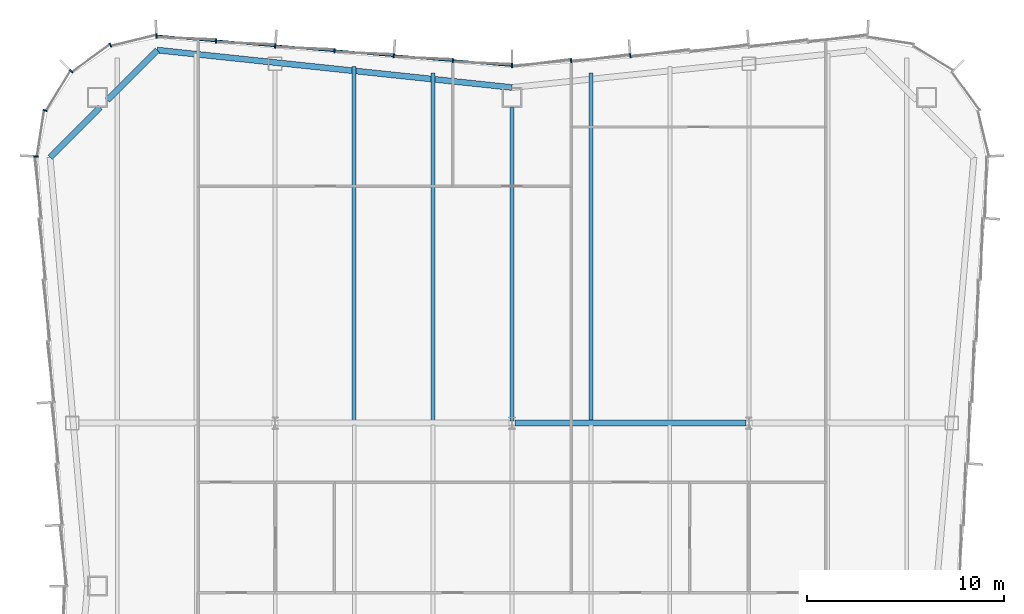
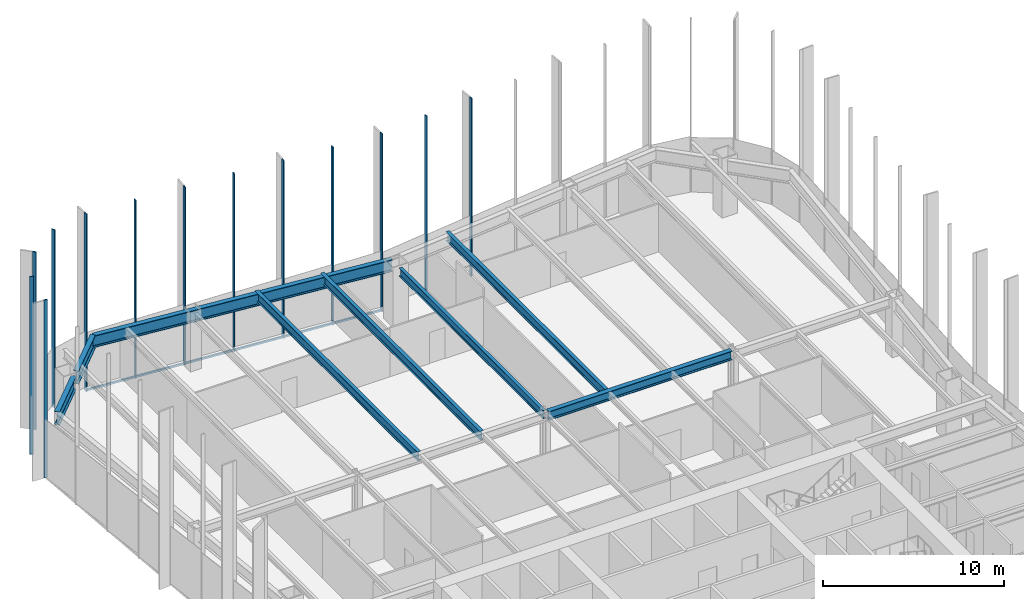
# One storey, part 6 of 13: 14 members, 8 beams, 3 elements without a shape of their own.
"""IFC4 building model written with IfcOpenShell, lengths in metres."""

from ifc_helpers import new_model, si_unit, direction, frame, origin, origin_2d, place, context, subcontext, project, spatial, rectangle, i_section, extrude, material, material_profile, profile_set, type_object, element, aggregate, save


model = new_model("IFC4")

# Units and contexts
model_context = context("Model", 3, precision=1e-05, world=origin(), true_north=direction((0.0, 1.0)))
body_context = subcontext(model_context, "Body", "Model", "MODEL_VIEW")
ifc_project = project(units=[si_unit("LENGTHUNIT", "METRE"), si_unit("AREAUNIT", "SQUARE_METRE"), si_unit("VOLUMEUNIT", "CUBIC_METRE"), si_unit("PLANEANGLEUNIT", "RADIAN"), si_unit("MASSUNIT", "GRAM", prefix="KILO")], contexts=[model_context])

# Site, building, storey
site_placement = place(None, origin())
site = spatial("IfcSite", under=ifc_project, at=site_placement, CompositionType="ELEMENT")
building_placement = place(site_placement, origin())
building = spatial("IfcBuilding", under=site, at=building_placement, Name="Verdant Reach Tower", CompositionType="ELEMENT")
storey_placement = place(building_placement, frame((0.0, 0.0, 206.0)))
storey = spatial("IfcBuildingStorey", under=building, at=storey_placement, Name="L47", CompositionType="ELEMENT", Elevation=206.0)

# Curtain wall, members
ifc_material_1 = material(Name="Anodised aluminium", Category="aluminium")
curtain_wall_type = type_object("IfcCurtainWallType", Name="EN-CW SYSTEM Z3", PredefinedType="NOTDEFINED", material=ifc_material_1)
curtain_wall_1_placement = place(storey_placement, origin())
curtain_wall_1 = element("IfcCurtainWall", 1, at=curtain_wall_1_placement, inside=storey, type_object=curtain_wall_type, Name="Curtain wall north, L47", PredefinedType="NOTDEFINED")
ifc_material_profile_1 = material_profile(ifc_material_1, rectangle(XDim=0.218017578125, YDim=0.06591796875, at=origin_2d()), Name="Mullion 66x218")
ifc_profile_set_1 = profile_set([ifc_material_profile_1], Name="Anodised aluminium")
member_type_1 = type_object("IfcMemberType", Name="EN-MULLION Z3", PredefinedType="MULLION", material=ifc_profile_set_1)
member_1_placement = place(storey_placement, frame((5.990966796875, 68.108642578125, -0.35009765625), z_axis=(0.0, 0.0, 1.0), x_axis=(-0.083045479859, 0.996545758244, 0.0)))
member_1 = element("IfcMember", 2, at=member_1_placement, type_object=member_type_1, Name="Mullion north face part 1 5, L47", PredefinedType="MULLION", context=body_context, shape_type="SweptSolid", body=[
    extrude(rectangle(XDim=0.218017578125, YDim=0.06591796875, at=origin_2d()), origin(), (0.0, 0.0, 1.0), 12.0),
])
member_2_placement = place(storey_placement, frame((2.990966796875, 67.858642578125, -0.35009765625), z_axis=(0.0, 0.0, 1.0), x_axis=(-0.083045479859, 0.996545758244, 0.0)))
member_2 = element("IfcMember", 3, at=member_2_placement, type_object=member_type_1, Name="Mullion north face part 1 6, L47", PredefinedType="MULLION", context=body_context, shape_type="SweptSolid", body=[
    extrude(rectangle(XDim=0.218017578125, YDim=0.06591796875, at=origin_2d()), origin(), (0.0, 0.0, 1.0), 12.0),
])
member_3_placement = place(storey_placement, frame((0.0, 67.60888671875, -0.35009765625), z_axis=(0.0, 0.0, 1.0), x_axis=(0.0, 1.0, 0.0)))
member_3 = element("IfcMember", 4, at=member_3_placement, type_object=member_type_1, Name="Mullion north face part 2 1, L47", PredefinedType="MULLION", context=body_context, shape_type="SweptSolid", body=[
    extrude(rectangle(XDim=0.218017578125, YDim=0.06591796875, at=origin_2d()), origin(), (0.0, 0.0, 1.0), 12.0),
])
member_4_placement = place(storey_placement, frame((-2.990966796875, 67.858642578125, -0.35009765625), z_axis=(0.0, 0.0, 1.0), x_axis=(0.083045479859, 0.996545758244, 0.0)))
member_4 = element("IfcMember", 5, at=member_4_placement, type_object=member_type_1, Name="Mullion north face part 2 2, L47", PredefinedType="MULLION", context=body_context, shape_type="SweptSolid", body=[
    extrude(rectangle(XDim=0.218017578125, YDim=0.06591796875, at=origin_2d()), origin(), (0.0, 0.0, 1.0), 12.0),
])
member_5_placement = place(storey_placement, frame((-5.990966796875, 68.108642578125, -0.35009765625), z_axis=(0.0, 0.0, 1.0), x_axis=(0.083045479859, 0.996545758244, 0.0)))
member_5 = element("IfcMember", 6, at=member_5_placement, type_object=member_type_1, Name="Mullion north face part 2 3, L47", PredefinedType="MULLION", context=body_context, shape_type="SweptSolid", body=[
    extrude(rectangle(XDim=0.218017578125, YDim=0.06591796875, at=origin_2d()), origin(), (0.0, 0.0, 1.0), 12.0),
])
member_6_placement = place(storey_placement, frame((-8.990966796875, 68.358642578125, -0.35009765625), z_axis=(0.0, 0.0, 1.0), x_axis=(0.083045479859, 0.996545758244, 0.0)))
member_6 = element("IfcMember", 7, at=member_6_placement, type_object=member_type_1, Name="Mullion north face part 2 4, L47", PredefinedType="MULLION", context=body_context, shape_type="SweptSolid", body=[
    extrude(rectangle(XDim=0.218017578125, YDim=0.06591796875, at=origin_2d()), origin(), (0.0, 0.0, 1.0), 12.0),
])
member_7_placement = place(storey_placement, frame((-11.990966796875, 68.608642578125, -0.35009765625), z_axis=(0.0, 0.0, 1.0), x_axis=(0.083045479859, 0.996545758244, 0.0)))
member_7 = element("IfcMember", 8, at=member_7_placement, type_object=member_type_1, Name="Mullion north face part 2 5, L47", PredefinedType="MULLION", context=body_context, shape_type="SweptSolid", body=[
    extrude(rectangle(XDim=0.218017578125, YDim=0.06591796875, at=origin_2d()), origin(), (0.0, 0.0, 1.0), 12.0),
])
member_8_placement = place(storey_placement, frame((-14.990966796875, 68.858642578125, -0.35009765625), z_axis=(0.0, 0.0, 1.0), x_axis=(0.083045479859, 0.996545758244, 0.0)))
member_8 = element("IfcMember", 9, at=member_8_placement, type_object=member_type_1, Name="Mullion north face part 2 6, L47", PredefinedType="MULLION", context=body_context, shape_type="SweptSolid", body=[
    extrude(rectangle(XDim=0.218017578125, YDim=0.06591796875, at=origin_2d()), origin(), (0.0, 0.0, 1.0), 12.0),
])

curtain_wall_2_placement = place(storey_placement, origin())
curtain_wall_2 = element("IfcCurtainWall", 10, at=curtain_wall_2_placement, inside=storey, type_object=curtain_wall_type, Name="Curtain wall north-west corner, L47", PredefinedType="NOTDEFINED")
member_9_placement = place(storey_placement, frame((-18.006103515625, 69.10888671875, -0.35009765625), z_axis=(0.0, 0.0, 1.0), x_axis=(-0.056569187765, 0.998398681387, 0.0)))
member_9 = element("IfcMember", 11, at=member_9_placement, type_object=member_type_1, Name="Mullion north-west corner 1, L47", PredefinedType="MULLION", context=body_context, shape_type="SweptSolid", body=[
    extrude(rectangle(XDim=0.218017578125, YDim=0.06591796875, at=origin_2d()), origin(), (0.0, 0.0, 1.0), 12.0),
])
member_10_placement = place(storey_placement, frame((-20.337890625, 68.64404296875, -0.35009765625), z_axis=(0.0, 0.0, 1.0), x_axis=(-0.382693853776, 0.923875215753, 0.0)))
member_10 = element("IfcMember", 12, at=member_10_placement, type_object=member_type_1, Name="Mullion north-west corner 2, L47", PredefinedType="MULLION", context=body_context, shape_type="SweptSolid", body=[
    extrude(rectangle(XDim=0.218017578125, YDim=0.06591796875, at=origin_2d()), origin(), (0.0, 0.0, 1.0), 12.0),
])
member_11_placement = place(storey_placement, frame((-22.319580078125, 67.319580078125, -0.35009765625), z_axis=(0.0, 0.0, 1.0), x_axis=(-0.707106781187, 0.707106781187, 0.0)))
member_11 = element("IfcMember", 13, at=member_11_placement, type_object=member_type_1, Name="Mullion north-west corner 3, L47", PredefinedType="MULLION", context=body_context, shape_type="SweptSolid", body=[
    extrude(rectangle(XDim=0.218017578125, YDim=0.06591796875, at=origin_2d()), origin(), (0.0, 0.0, 1.0), 12.0),
])
member_12_placement = place(storey_placement, frame((-23.64404296875, 65.337890625, -0.35009765625), z_axis=(0.0, 0.0, 1.0), x_axis=(-0.923875215753, 0.382693853776, 0.0)))
member_12 = element("IfcMember", 14, at=member_12_placement, type_object=member_type_1, Name="Mullion north-west corner 4, L47", PredefinedType="MULLION", context=body_context, shape_type="SweptSolid", body=[
    extrude(rectangle(XDim=0.218017578125, YDim=0.06591796875, at=origin_2d()), origin(), (0.0, 0.0, 1.0), 12.0),
])
aggregate(curtain_wall_2, [member_9, member_10, member_11, member_12])

# Curtain wall, member
curtain_wall_3_placement = place(storey_placement, origin())
curtain_wall_3 = element("IfcCurtainWall", 15, at=curtain_wall_3_placement, inside=storey, type_object=curtain_wall_type, Name="Curtain wall west, L47", PredefinedType="NOTDEFINED")
member_13_placement = place(storey_placement, frame((-24.10888671875, 63.0068359375, -0.35009765625), z_axis=(0.0, 0.0, 1.0), x_axis=(-0.997969180898, 0.063698618332, 0.0)))
member_13 = element("IfcMember", 16, at=member_13_placement, type_object=member_type_1, Name="Mullion west face part 1 1, L47", PredefinedType="MULLION", context=body_context, shape_type="SweptSolid", body=[
    extrude(rectangle(XDim=0.218017578125, YDim=0.06591796875, at=origin_2d()), origin(), (0.0, 0.0, 1.0), 12.0),
])
aggregate(curtain_wall_3, [member_13])

# Member
ifc_material_profile_2 = material_profile(ifc_material_1, rectangle(XDim=0.10009765625, YDim=0.1259765625, at=origin_2d()), Name="Transom 126x100")
ifc_profile_set_2 = profile_set([ifc_material_profile_2], Name="Anodised aluminium")
member_type_2 = type_object("IfcMemberType", Name="EN-TRANSOM Z3", PredefinedType="USERDEFINED", material=ifc_profile_set_2)
member_14_placement = place(storey_placement, frame((-0.032958984375, 67.61181640625, -0.287109375), z_axis=(-0.996548750467, 0.083009565369, 0.0), x_axis=(-0.083009565369, -0.996548750467, 0.0)))
member_14 = element("IfcMember", 17, at=member_14_placement, type_object=member_type_2, Name="Transom north face part 2 1.1, L47", ObjectType="TRANSOM", PredefinedType="USERDEFINED", context=body_context, shape_type="SweptSolid", body=[
    extrude(rectangle(XDim=0.10009765625, YDim=0.1259765625, at=origin_2d()), origin(), (0.0, 0.0, 1.0), 18.00244140625),
])

aggregate(curtain_wall_1, [member_1, member_2, member_3, member_4, member_5, member_6, member_7, member_8, member_14])

# Beams
ifc_material_2 = material(Name="Steel S355", Category="steel")
ifc_material_profile_3 = material_profile(ifc_material_2, i_section(OverallWidth=0.300048828125, OverallDepth=0.60009765625, WebThickness=0.015380859375, FlangeThickness=0.030029296875, FilletRadius=0.027099609375, at=origin_2d()), Name="HEB 600")
ifc_profile_set_3 = profile_set([ifc_material_profile_3], Name="Steel S355")
beam_type_1 = type_object("IfcBeamType", Name="ST-BEAM-HEB600", PredefinedType="BEAM", material=ifc_profile_set_3)
beam_1_placement = place(storey_placement, frame((0.152587890625, 49.5, 3.570068359375), z_axis=(1.0, 0.0, 0.0), x_axis=(0.0, 1.0, 0.0)))
element("IfcBeam", 18, at=beam_1_placement, inside=storey, type_object=beam_type_1, Name="Row girder, L47", PredefinedType="BEAM", context=body_context, shape_type="SweptSolid", body=[
    extrude(i_section(OverallWidth=0.300048828125, OverallDepth=0.60009765625, WebThickness=0.015380859375, FlangeThickness=0.030029296875, FilletRadius=0.027099609375, at=origin_2d()), origin(), (0.0, 0.0, 1.0), 11.69482421875),
])
ifc_material_profile_4 = material_profile(ifc_material_2, i_section(OverallWidth=0.2099609375, OverallDepth=0.550048828125, WebThickness=0.010986328125, FlangeThickness=0.01708984375, FilletRadius=0.02392578125, at=origin_2d()), Name="IPE 550")
ifc_profile_set_4 = profile_set([ifc_material_profile_4], Name="Steel S355")
beam_type_2 = type_object("IfcBeamType", Name="ST-JOIST-IPE550", PredefinedType="JOIST", material=ifc_profile_set_4)
beam_2_placement = place(storey_placement, frame((0.0, 49.60009765625, 3.594970703125), z_axis=(0.0, 1.0, 0.0), x_axis=(-1.0, 0.0, 0.0)))
element("IfcBeam", 19, at=beam_2_placement, inside=storey, type_object=beam_type_2, Name="Floor joist, L47", PredefinedType="JOIST", context=body_context, shape_type="SweptSolid", body=[
    extrude(i_section(OverallWidth=0.2099609375, OverallDepth=0.550048828125, WebThickness=0.010986328125, FlangeThickness=0.01708984375, FilletRadius=0.02392578125, at=origin_2d()), origin(), (0.0, 0.0, 1.0), 15.89990234375),
])
ifc_material_profile_5 = material_profile(ifc_material_2, i_section(OverallWidth=0.219970703125, OverallDepth=0.60009765625, WebThickness=0.011962890625, FlangeThickness=0.01904296875, FilletRadius=0.02392578125, at=origin_2d()), Name="IPE 600")
ifc_profile_set_5 = profile_set([ifc_material_profile_5], Name="Steel S355")
beam_type_3 = type_object("IfcBeamType", Name="ST-JOIST-IPE600", PredefinedType="JOIST", material=ifc_profile_set_5)
beam_3_placement = place(storey_placement, frame((-8.0, 49.60009765625, 3.570068359375), z_axis=(0.0, 1.0, 0.0), x_axis=(-1.0, 0.0, 0.0)))
element("IfcBeam", 20, at=beam_3_placement, inside=storey, type_object=beam_type_3, Name="Floor joist, L47", PredefinedType="JOIST", context=body_context, shape_type="SweptSolid", body=[
    extrude(i_section(OverallWidth=0.219970703125, OverallDepth=0.60009765625, WebThickness=0.011962890625, FlangeThickness=0.01904296875, FilletRadius=0.02392578125, at=origin_2d()), origin(), (0.0, 0.0, 1.0), 17.964599609375),
])
for number, where, z_axis, x_axis, name in (
    (21, (-4.0, 49.60009765625, 3.570068359375), (0.0, 1.0, 0.0), (-1.0, 0.0, 0.0), "Floor joist, L47"),
    (22, (4.0, 49.60009765625, 3.570068359375), (0.0, 1.0, 0.0), (-1.0, 0.0, 0.0), "Floor joist, L47"),
):
    element("IfcBeam", number, at=place(storey_placement, frame(where, z_axis=z_axis, x_axis=x_axis)), inside=storey, type_object=beam_type_3, Name=name, PredefinedType="JOIST", context=body_context, shape_type="SweptSolid", body=[
        extrude(i_section(OverallWidth=0.219970703125, OverallDepth=0.60009765625, WebThickness=0.011962890625, FlangeThickness=0.01904296875, FilletRadius=0.02392578125, at=origin_2d()), origin(), (0.0, 0.0, 1.0), 17.631103515625),
    ])
ifc_material_profile_6 = material_profile(ifc_material_2, i_section(OverallWidth=0.300048828125, OverallDepth=0.800048828125, WebThickness=0.017578125, FlangeThickness=0.032958984375, FilletRadius=0.030029296875, at=origin_2d()), Name="HEB 800")
ifc_profile_set_6 = profile_set([ifc_material_profile_6], Name="Steel S355")
beam_type_4 = type_object("IfcBeamType", Name="ST-SPANDREL-HEB800", PredefinedType="SPANDREL", material=ifc_profile_set_6)
beam_4_placement = place(storey_placement, frame((-17.9658203125, 68.39501953125, 3.469970703125), z_axis=(0.994483067002, -0.104897232783, 0.0), x_axis=(0.104897232783, 0.994483067002, 0.0)))
element("IfcBeam", 23, at=beam_4_placement, inside=storey, type_object=beam_type_4, Name="Edge beam, L47", PredefinedType="SPANDREL", context=body_context, shape_type="SweptSolid", body=[
    extrude(i_section(OverallWidth=0.300048828125, OverallDepth=0.800048828125, WebThickness=0.017578125, FlangeThickness=0.032958984375, FilletRadius=0.030029296875, at=origin_2d()), origin(), (0.0, 0.0, 1.0), 18.0654296875),
])
ifc_material_profile_7 = material_profile(ifc_material_2, i_section(OverallWidth=0.302001953125, OverallDepth=0.909912109375, WebThickness=0.02099609375, FlangeThickness=0.0400390625, FilletRadius=0.030029296875, at=origin_2d()), Name="HEM 900")
ifc_profile_set_7 = profile_set([ifc_material_profile_7], Name="Steel S355")
beam_type_5 = type_object("IfcBeamType", Name="ST-SPANDREL-HEM900", PredefinedType="SPANDREL", material=ifc_profile_set_7)
beam_5_placement = place(storey_placement, frame((-23.39599609375, 62.96142578125, 3.4150390625), z_axis=(0.706902680526, 0.707310822952, 0.0), x_axis=(-0.707310822952, 0.706902680526, 0.0)))
element("IfcBeam", 24, at=beam_5_placement, inside=storey, type_object=beam_type_5, Name="Edge beam, L47", PredefinedType="SPANDREL", context=body_context, shape_type="SweptSolid", body=[
    extrude(i_section(OverallWidth=0.302001953125, OverallDepth=0.909912109375, WebThickness=0.02099609375, FlangeThickness=0.0400390625, FilletRadius=0.030029296875, at=origin_2d()), origin(), (0.0, 0.0, 1.0), 3.589111328125),
])
beam_6_placement = place(storey_placement, frame((-20.5, 65.859130859375, 3.4150390625), z_axis=(0.706868394255, 0.707345087777, 0.0), x_axis=(-0.707345087777, 0.706868394255, 0.0)))
element("IfcBeam", 25, at=beam_6_placement, inside=storey, type_object=beam_type_5, Name="Edge beam, L47", PredefinedType="SPANDREL", context=body_context, shape_type="SweptSolid", body=[
    extrude(i_section(OverallWidth=0.302001953125, OverallDepth=0.909912109375, WebThickness=0.02099609375, FlangeThickness=0.0400390625, FilletRadius=0.030029296875, at=origin_2d()), origin(), (0.0, 0.0, 1.0), 3.5849609375),
])

save(model, "model.ifc")
